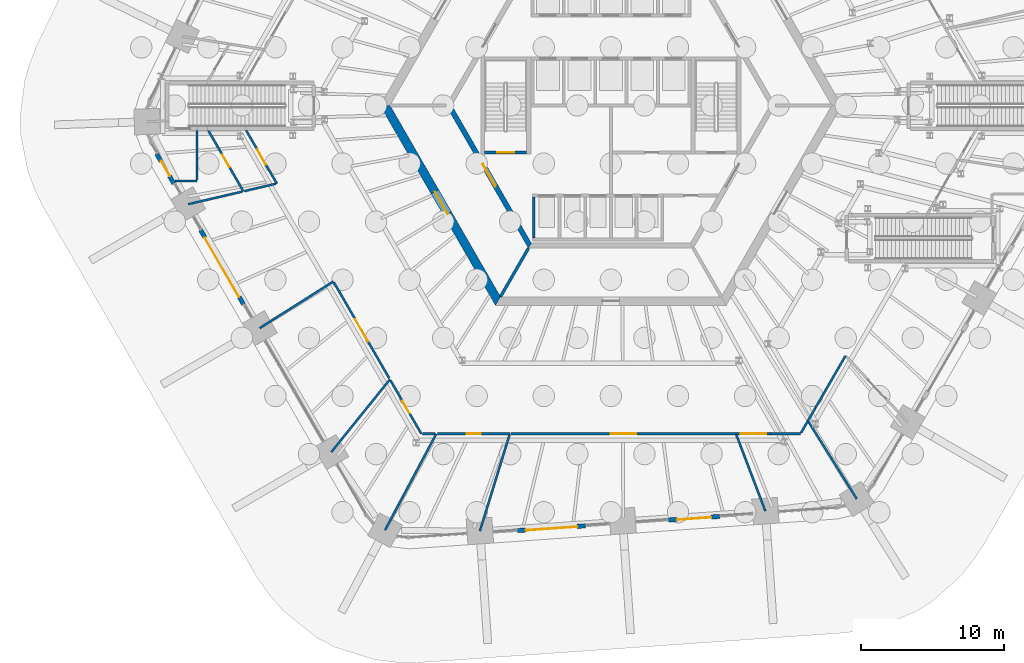
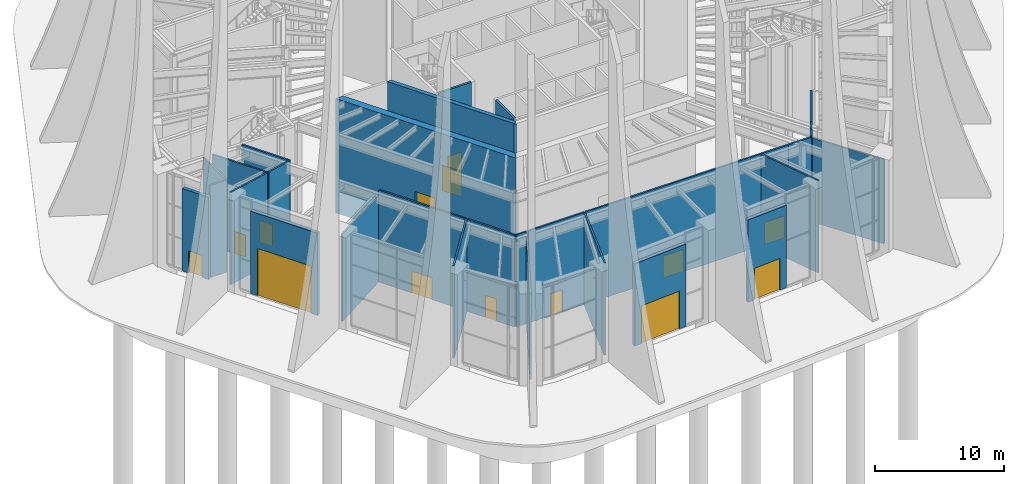
# One storey, part 25 of 43: 31 walls, 14 doors, 14 openings.
"""IFC4 building model written with IfcOpenShell, lengths in metres."""

from ifc_helpers import new_model, si_unit, direction, frame, frame_2d, origin, place, context, subcontext, project, spatial, polyline, rectangle, outline, extrude, material, layer, layer_set, type_object, element, fill, save


model = new_model("IFC4")

# Units and contexts
model_context = context("Model", 3, precision=1e-05, world=origin(), true_north=direction((0.0, 1.0)))
body_context = subcontext(model_context, "Body", "Model", "MODEL_VIEW")
ifc_project = project(units=[si_unit("LENGTHUNIT", "METRE"), si_unit("AREAUNIT", "SQUARE_METRE"), si_unit("VOLUMEUNIT", "CUBIC_METRE"), si_unit("PLANEANGLEUNIT", "RADIAN"), si_unit("MASSUNIT", "GRAM", prefix="KILO")], contexts=[model_context])

# Site, building, storey
site_placement = place(None, origin())
site = spatial("IfcSite", under=ifc_project, at=site_placement, CompositionType="ELEMENT")
building_placement = place(site_placement, origin())
building = spatial("IfcBuilding", under=site, at=building_placement, Name="Tarnside Tower", CompositionType="ELEMENT")
storey_placement = place(building_placement, origin())
storey = spatial("IfcBuildingStorey", under=building, at=storey_placement, Name="L00", CompositionType="ELEMENT", Elevation=0.0)

# Wall, opening, door
ifc_material_1 = material(Name="Concrete C50/60", Category="concrete")
ifc_layer_1 = layer(ifc_material_1, 0.35009765625)
ifc_layer_set_1 = layer_set([ifc_layer_1], Name="Core block wall 350 C50/60")
wall_type_1 = type_object("IfcWallType", Name="Core block wall 350 C50/60", PredefinedType="SHEAR", material=ifc_layer_set_1)
wall_1_placement = place(storey_placement, frame((-11.344970703125, 0.0, -2.10009765625), z_axis=(0.0, 0.0, 1.0), x_axis=(0.499995046907, -0.866028263435, 0.0)))
wall_1 = element("IfcWall", 1, at=wall_1_placement, inside=storey, type_object=wall_type_1, Name="L00 core block wall face 3", PredefinedType="SHEAR", context=body_context, shape_type="SweptSolid", body=[
    extrude(outline(polyline([(-0.10107421875, -0.175048828125), (11.44580078125, -0.175048828125), (11.24365234375, 0.175048828125), (0.10107421875, 0.175048828125), (-0.10107421875, -0.175048828125)])), origin(), (0.0, 0.0, 1.0), 10.85009765625),
])
opening_1_placement = place(wall_1_placement, frame((4.74365234375, 0.0, 2.10009765625)))
opening_1 = element("IfcOpeningElement", 2, at=opening_1_placement, cuts=wall_1, Name="Opening CD-FFL", PredefinedType="OPENING", context=body_context, shape_type="SweptSolid", body=[
    extrude(rectangle(XDim=1.800048828125, YDim=2.39990234375, at=frame_2d((0.89990234375, 1.199951171875))), frame((0.0, 0.18505859375, 0.0), z_axis=(0.0, -1.0, 0.0), x_axis=(1.0, 0.0, 0.0)), (0.0, 0.0, 1.0), 0.3701171875),
])
ifc_material_2 = material(Name="Steel fire door", Category="steel")
door_type_1 = type_object("IfcDoorType", Name="Firefighting lobby double door FD60S 1800x2400", OperationType="NOTDEFINED", PredefinedType="DOOR", material=ifc_material_2)
door_1_placement = place(opening_1_placement, origin())
door_1 = element("IfcDoor", 3, at=door_1_placement, inside=storey, type_object=door_type_1, Name="L00 lobby block door P3", OperationType="DOUBLE_DOOR_SINGLE_SWING", OverallHeight=2.39990234375, OverallWidth=1.800048828125, PredefinedType="DOOR", context=body_context, shape_type="SweptSolid", body=[
    extrude(rectangle(XDim=1.800048828125, YDim=2.39990234375, at=frame_2d((0.89990234375, 1.199951171875))), frame((0.0, 0.02490234375, 0.0), z_axis=(0.0, -1.0, 0.0), x_axis=(1.0, 0.0, 0.0)), (0.0, 0.0, 1.0), 0.050048828125),
])
fill(opening_1, door_1)

ifc_material_3 = material(Name="Concrete C80/95", Category="concrete")
ifc_layer_2 = layer(ifc_material_3, 0.60009765625)
ifc_layer_set_2 = layer_set([ifc_layer_2], Name="Core wall Z1 600 C80/95")
wall_type_2 = type_object("IfcWallType", Name="Core wall Z1 600 C80/95", PredefinedType="SHEAR", material=ifc_layer_set_2)
wall_2_placement = place(storey_placement, frame((-15.8193359375, 0.0, -2.10009765625), z_axis=(0.0, 0.0, 1.0), x_axis=(0.499999880136, -0.866025472988, 0.0)))
wall_2 = element("IfcWall", 4, at=wall_2_placement, inside=storey, type_object=wall_type_2, Name="L00 core wall face 3", PredefinedType="SHEAR", context=body_context, shape_type="SweptSolid", body=[
    extrude(outline(polyline([(-0.17333984375, -0.300048828125), (15.99267578125, -0.300048828125), (15.64599609375, 0.300048828125), (0.17333984375, 0.300048828125), (-0.17333984375, -0.300048828125)])), origin(), (0.0, 0.0, 1.0), 10.85009765625),
])
opening_2_placement = place(wall_2_placement, frame((6.980712890625, 0.0, 2.10009765625)))
opening_2 = element("IfcOpeningElement", 5, at=opening_2_placement, cuts=wall_2, Name="Opening CD-FFL", PredefinedType="OPENING", context=body_context, shape_type="SweptSolid", body=[
    extrude(rectangle(XDim=1.800048828125, YDim=2.39990234375, at=frame_2d((0.89990234375, 1.199951171875))), frame((0.0, 0.31005859375, 0.0), z_axis=(0.0, -1.0, 0.0), x_axis=(1.0, 0.0, 0.0)), (0.0, 0.0, 1.0), 0.6201171875),
])
door_2_placement = place(opening_2_placement, origin())
door_2 = element("IfcDoor", 6, at=door_2_placement, inside=storey, type_object=door_type_1, Name="L00 core door P3", OperationType="DOUBLE_DOOR_SINGLE_SWING", OverallHeight=2.39990234375, OverallWidth=1.800048828125, PredefinedType="DOOR", context=body_context, shape_type="SweptSolid", body=[
    extrude(rectangle(XDim=1.800048828125, YDim=2.39990234375, at=frame_2d((0.89990234375, 1.199951171875))), frame((0.0, 0.02490234375, 0.0), z_axis=(0.0, -1.0, 0.0), x_axis=(1.0, 0.0, 0.0)), (0.0, 0.0, 1.0), 0.050048828125),
])
fill(opening_2, door_2)

ifc_material_4 = material(Name="Concrete C50/60 white precast", Category="concrete")
ifc_layer_3 = layer(ifc_material_4, 0.300048828125)
ifc_layer_set_3 = layer_set([ifc_layer_3], Name="Entrance portal wall 300")
wall_type_3 = type_object("IfcWallType", Name="Entrance portal wall 300", PredefinedType="SOLIDWALL", material=ifc_layer_set_3)
wall_3_placement = place(storey_placement, frame((-30.615478515625, -5.472412109375, 0.0), z_axis=(0.0, 0.0, 1.0), x_axis=(-0.500001309137, 0.866024647952, 0.0)))
wall_3 = element("IfcWall", 7, at=wall_3_placement, inside=storey, type_object=wall_type_3, Name="Exit portal wall PS2", PredefinedType="SOLIDWALL", context=body_context, shape_type="SweptSolid", body=[
    extrude(rectangle(XDim=2.39990234375, YDim=0.300048828125, at=frame_2d((1.199951171875, 0.0))), origin(), (0.0, 0.0, 1.0), 7.823486328125),
])
opening_3_placement = place(wall_3_placement, frame((0.60009765625, 0.0, 0.0)))
opening_3 = element("IfcOpeningElement", 8, at=opening_3_placement, cuts=wall_3, Name="Opening DX1200", PredefinedType="OPENING", context=body_context, shape_type="SweptSolid", body=[
    extrude(rectangle(XDim=1.199951171875, YDim=2.10009765625, at=frame_2d((0.60009765625, 1.050048828125))), frame((0.0, 0.16015625, 0.0), z_axis=(0.0, -1.0, 0.0), x_axis=(1.0, 0.0, 0.0)), (0.0, 0.0, 1.0), 0.320068359375),
])
ifc_material_5 = material(Name="Aluminium-framed toughened glass", Category="aluminium")
door_type_2 = type_object("IfcDoorType", Name="Final exit door 1200 x 2100", OperationType="NOTDEFINED", PredefinedType="DOOR", material=ifc_material_5)
door_3_placement = place(opening_3_placement, frame((0.0, -0.02490234375, 0.0)))
door_3 = element("IfcDoor", 9, at=door_3_placement, inside=storey, type_object=door_type_2, Name="Final exit door PS2", OperationType="SINGLE_SWING_LEFT", OverallHeight=2.10009765625, OverallWidth=1.199951171875, PredefinedType="DOOR", context=body_context, shape_type="SweptSolid", body=[
    extrude(rectangle(XDim=1.199951171875, YDim=2.10009765625, at=frame_2d((0.60009765625, 1.050048828125))), frame((0.0, 0.02490234375, 0.0), z_axis=(0.0, -1.0, 0.0), x_axis=(1.0, 0.0, 0.0)), (0.0, 0.0, 1.0), 0.050048828125),
])
fill(opening_3, door_3)

wall_4_placement = place(storey_placement, frame((-28.731689453125, -8.7353515625, 0.0), z_axis=(0.0, 0.0, 1.0), x_axis=(0.499990139034, -0.866031096941, 0.0)))
wall_4 = element("IfcWall", 10, at=wall_4_placement, inside=storey, type_object=wall_type_3, Name="Entrance portal wall station 08", PredefinedType="SOLIDWALL", context=body_context, shape_type="SweptSolid", body=[
    extrude(rectangle(XDim=6.0, YDim=0.300048828125, at=frame_2d((3.0, 0.0))), origin(), (0.0, 0.0, 1.0), 7.823486328125),
])
opening_4_placement = place(wall_4_placement, frame((0.60009765625, 0.0, 0.0)))
opening_4 = element("IfcOpeningElement", 11, at=opening_4_placement, cuts=wall_4, Name="Opening DE4800", PredefinedType="OPENING", context=body_context, shape_type="SweptSolid", body=[
    extrude(rectangle(XDim=4.800048828125, YDim=4.5, at=frame_2d((2.39990234375, 2.25))), frame((0.0, 0.16015625, 0.0), z_axis=(0.0, -1.0, 0.0), x_axis=(1.0, 0.0, 0.0)), (0.0, 0.0, 1.0), 0.320068359375),
])
door_type_3 = type_object("IfcDoorType", Name="Station entrance door 4800 x 4500", OperationType="DOUBLE_DOOR_SLIDING", PredefinedType="DOOR", material=ifc_material_5)
door_4_placement = place(opening_4_placement, frame((0.0, -0.02490234375, 0.0)))
door_4 = element("IfcDoor", 12, at=door_4_placement, inside=storey, type_object=door_type_3, Name="Station entrance door 04", OperationType="DOUBLE_DOOR_SLIDING", OverallHeight=4.5, OverallWidth=4.800048828125, PredefinedType="DOOR", context=body_context, shape_type="SweptSolid", body=[
    extrude(rectangle(XDim=4.800048828125, YDim=4.5, at=frame_2d((2.39990234375, 2.25))), frame((0.0, 0.02490234375, 0.0), z_axis=(0.0, -1.0, 0.0), x_axis=(1.0, 0.0, 0.0)), (0.0, 0.0, 1.0), 0.050048828125),
])
fill(opening_4, door_4)

wall_5_placement = place(storey_placement, frame((-6.5615234375, -29.7802734375, 0.0), z_axis=(0.0, 0.0, 1.0), x_axis=(0.997562190208, 0.069783068626, 0.0)))
wall_5 = element("IfcWall", 13, at=wall_5_placement, inside=storey, type_object=wall_type_3, Name="Entrance portal wall hotel 12", PredefinedType="SOLIDWALL", context=body_context, shape_type="SweptSolid", body=[
    extrude(rectangle(XDim=4.800048828125, YDim=0.300048828125, at=frame_2d((2.39990234375, 0.0))), origin(), (0.0, 0.0, 1.0), 7.823486328125),
])
opening_5_placement = place(wall_5_placement, frame((0.60009765625, 0.0, 0.0)))
opening_5 = element("IfcOpeningElement", 14, at=opening_5_placement, cuts=wall_5, Name="Opening DE3600H", PredefinedType="OPENING", context=body_context, shape_type="SweptSolid", body=[
    extrude(rectangle(XDim=3.60009765625, YDim=3.60009765625, at=frame_2d((1.800048828125, 1.800048828125))), frame((0.0, 0.16015625, 0.0), z_axis=(0.0, -1.0, 0.0), x_axis=(1.0, 0.0, 0.0)), (0.0, 0.0, 1.0), 0.320068359375),
])
door_type_4 = type_object("IfcDoorType", Name="Hotel entrance door 3600 x 3600", OperationType="DOUBLE_DOOR_SLIDING", PredefinedType="DOOR", material=ifc_material_5)
door_5_placement = place(opening_5_placement, frame((0.0, -0.02490234375, 0.0)))
door_5 = element("IfcDoor", 15, at=door_5_placement, inside=storey, type_object=door_type_4, Name="Hotel entrance door 05", OperationType="DOUBLE_DOOR_SLIDING", OverallHeight=3.60009765625, OverallWidth=3.60009765625, PredefinedType="DOOR", context=body_context, shape_type="SweptSolid", body=[
    extrude(rectangle(XDim=3.60009765625, YDim=3.60009765625, at=frame_2d((1.800048828125, 1.800048828125))), frame((0.0, 0.02490234375, 0.0), z_axis=(0.0, -1.0, 0.0), x_axis=(1.0, 0.0, 0.0)), (0.0, 0.0, 1.0), 0.050048828125),
])
fill(opening_5, door_5)

wall_6_placement = place(storey_placement, frame((4.036376953125, -29.0390625, 0.0), z_axis=(0.0, 0.0, 1.0), x_axis=(0.997566661623, 0.069719119461, 0.0)))
wall_6 = element("IfcWall", 16, at=wall_6_placement, inside=storey, type_object=wall_type_3, Name="Entrance portal wall retail 13", PredefinedType="SOLIDWALL", context=body_context, shape_type="SweptSolid", body=[
    extrude(rectangle(XDim=3.599853515625, YDim=0.300048828125, at=frame_2d((1.7998046875, 0.0))), origin(), (0.0, 0.0, 1.0), 7.823486328125),
])
opening_6_placement = place(wall_6_placement, frame((0.60009765625, 0.0, 0.0)))
opening_6 = element("IfcOpeningElement", 17, at=opening_6_placement, cuts=wall_6, Name="Opening DE2400", PredefinedType="OPENING", context=body_context, shape_type="SweptSolid", body=[
    extrude(rectangle(XDim=2.39990234375, YDim=3.0, at=frame_2d((1.199951171875, 1.5))), frame((0.0, 0.16015625, 0.0), z_axis=(0.0, -1.0, 0.0), x_axis=(1.0, 0.0, 0.0)), (0.0, 0.0, 1.0), 0.320068359375),
])
door_type_5 = type_object("IfcDoorType", Name="Retail entrance door 2400 x 3000", OperationType="DOUBLE_DOOR_SLIDING", PredefinedType="DOOR", material=ifc_material_5)
door_6_placement = place(opening_6_placement, frame((0.0, -0.02490234375, 0.0)))
door_6 = element("IfcDoor", 18, at=door_6_placement, inside=storey, type_object=door_type_5, Name="Retail entrance door 06", OperationType="DOUBLE_DOOR_SLIDING", OverallHeight=3.0, OverallWidth=2.39990234375, PredefinedType="DOOR", context=body_context, shape_type="SweptSolid", body=[
    extrude(rectangle(XDim=2.39990234375, YDim=3.0, at=frame_2d((1.199951171875, 1.5))), frame((0.0, 0.02490234375, 0.0), z_axis=(0.0, -1.0, 0.0), x_axis=(1.0, 0.0, 0.0)), (0.0, 0.0, 1.0), 0.050048828125),
])
fill(opening_6, door_6)

# Walls
ifc_material_6 = material(Name="Concrete C40/50", Category="concrete")
ifc_layer_4 = layer(ifc_material_6, 0.199951171875)
ifc_layer_set_4 = layer_set([ifc_layer_4], Name="Lift shaft wall 200 C40/50")
wall_type_4 = type_object("IfcWallType", Name="Lift shaft wall 200 C40/50", PredefinedType="SHEAR", material=ifc_layer_set_4)
wall_7_placement = place(storey_placement, frame((-5.39990234375, -9.300048828125, -2.10009765625), z_axis=(0.0, 0.0, 1.0), x_axis=(0.0, 1.0, 0.0)))
element("IfcWall", 19, at=wall_7_placement, inside=storey, type_object=wall_type_4, Name="L00 lift shaft partition R41", PredefinedType="SHEAR", context=body_context, shape_type="SweptSolid", body=[
    extrude(rectangle(XDim=2.900146484375, YDim=0.199951171875, at=frame_2d((1.4501953125, 0.0))), origin(), (0.0, 0.0, 1.0), 10.85009765625),
])
wall_8_placement = place(storey_placement, frame((-5.7734375, -10.0, -2.10009765625), z_axis=(0.0, 0.0, 1.0), x_axis=(-0.500038251005, -0.86600331843, 0.0)))
element("IfcWall", 20, at=wall_8_placement, inside=storey, type_object=wall_type_4, Name="L00 core partition AR240", PredefinedType="SHEAR", context=body_context, shape_type="SweptSolid", body=[
    extrude(rectangle(XDim=3.926025390625, YDim=0.199951171875, at=frame_2d((1.962890625, 0.0))), origin(), (0.0, 0.0, 1.0), 10.85009765625),
])

# Wall, opening, door
wall_9_placement = place(storey_placement, frame((-8.85009765625, -3.300048828125, -2.10009765625), z_axis=(0.0, 0.0, 1.0), x_axis=(1.0, 0.0, 0.0)))
wall_9 = element("IfcWall", 21, at=wall_9_placement, inside=storey, type_object=wall_type_4, Name="L00 stair 2 enclosure cap wall s", PredefinedType="SHEAR", context=body_context, shape_type="SweptSolid", body=[
    extrude(rectangle(XDim=2.9501953125, YDim=0.199951171875, at=frame_2d((1.47509765625, 0.0))), origin(), (0.0, 0.0, 1.0), 10.85009765625),
])
opening_7_placement = place(wall_9_placement, frame((0.875, 0.0, 2.10009765625)))
opening_7 = element("IfcOpeningElement", 22, at=opening_7_placement, cuts=wall_9, Name="Opening CD-STR", PredefinedType="OPENING", context=body_context, shape_type="SweptSolid", body=[
    extrude(rectangle(XDim=1.199951171875, YDim=2.39990234375, at=frame_2d((0.60009765625, 1.199951171875))), frame((0.0, 0.10986328125, 0.0), z_axis=(0.0, -1.0, 0.0), x_axis=(1.0, 0.0, 0.0)), (0.0, 0.0, 1.0), 0.219970703125),
])
door_type_6 = type_object("IfcDoorType", Name="Stair door FD60S 1200x2400", OperationType="NOTDEFINED", PredefinedType="DOOR", material=ifc_material_2)
door_7_placement = place(opening_7_placement, origin())
door_7 = element("IfcDoor", 23, at=door_7_placement, inside=storey, type_object=door_type_6, Name="L00 stair 2 door", OperationType="SINGLE_SWING_LEFT", OverallHeight=2.39990234375, OverallWidth=1.199951171875, PredefinedType="DOOR", context=body_context, shape_type="SweptSolid", body=[
    extrude(rectangle(XDim=1.199951171875, YDim=2.39990234375, at=frame_2d((0.60009765625, 1.199951171875))), frame((0.0, 0.02490234375, 0.0), z_axis=(0.0, -1.0, 0.0), x_axis=(1.0, 0.0, 0.0)), (0.0, 0.0, 1.0), 0.050048828125),
])
fill(opening_7, door_7)

# Walls
ifc_material_7 = material(Name="Gypsum board")
ifc_layer_5 = layer(ifc_material_7, 0.14990234375)
ifc_layer_set_5 = layer_set([ifc_layer_5], Name="Partition 150 gypsum board on metal stud")
wall_type_5 = type_object("IfcWallType", Name="Partition 150 gypsum board on metal stud", PredefinedType="PARTITIONING", material=ifc_layer_set_5)
wall_10_placement = place(storey_placement, frame((-29.0, -5.300048828125, 0.0), z_axis=(0.0, 0.0, 1.0), x_axis=(-1.0, 0.0, 0.0)))
element("IfcWall", 24, at=wall_10_placement, inside=storey, type_object=wall_type_5, Name="Partition 006", PredefinedType="PARTITIONING", context=body_context, shape_type="SweptSolid", body=[
    extrude(rectangle(XDim=1.5419921875, YDim=0.14990234375, at=frame_2d((0.77099609375, 0.0))), origin(), (0.0, 0.0, 1.0), 8.75),
])
wall_11_placement = place(storey_placement, frame((-29.0, -1.75, 0.0), z_axis=(0.0, 0.0, 1.0), x_axis=(0.0, -1.0, 0.0)))
element("IfcWall", 25, at=wall_11_placement, inside=storey, type_object=wall_type_5, Name="Partition 007", PredefinedType="PARTITIONING", context=body_context, shape_type="SweptSolid", body=[
    extrude(rectangle(XDim=3.47509765625, YDim=0.14990234375, at=frame_2d((1.737548828125, 0.0))), origin(), (0.0, 0.0, 1.0), 8.75),
])

# Wall, opening, door
wall_12_placement = place(storey_placement, frame((-25.740966796875, -6.014892578125, 0.0), z_axis=(0.0, 0.0, 1.0), x_axis=(-0.500084325422, 0.865976713005, 0.0)))
wall_12 = element("IfcWall", 26, at=wall_12_placement, inside=storey, type_object=wall_type_5, Name="Partition 009", PredefinedType="PARTITIONING", context=body_context, shape_type="SweptSolid", body=[
    extrude(rectangle(XDim=4.925048828125, YDim=0.14990234375, at=frame_2d((2.46240234375, 0.0))), origin(), (0.0, 0.0, 1.0), 8.75),
])
opening_8_placement = place(wall_12_placement, frame((1.96240234375, 0.0, 0.0)))
opening_8 = element("IfcOpeningElement", 27, at=opening_8_placement, cuts=wall_12, Name="Opening D1000", PredefinedType="OPENING", context=body_context, shape_type="SweptSolid", body=[
    extrude(rectangle(XDim=1.0, YDim=2.10009765625, at=frame_2d((0.5, 1.050048828125))), frame((0.0, 0.0849609375, 0.0), z_axis=(0.0, -1.0, 0.0), x_axis=(1.0, 0.0, 0.0)), (0.0, 0.0, 1.0), 0.169921875),
])
ifc_material_8 = material(Name="Timber door leaf", Category="wood")
door_type_7 = type_object("IfcDoorType", Name="Door 1000 x 2100 single leaf", OperationType="NOTDEFINED", PredefinedType="DOOR", material=ifc_material_8)
door_8_placement = place(opening_8_placement, origin())
door_8 = element("IfcDoor", 28, at=door_8_placement, inside=storey, type_object=door_type_7, Name="Door L00-02", OperationType="SINGLE_SWING_LEFT", OverallHeight=2.10009765625, OverallWidth=1.0, PredefinedType="DOOR", context=body_context, shape_type="SweptSolid", body=[
    extrude(rectangle(XDim=1.0, YDim=2.10009765625, at=frame_2d((0.5, 1.050048828125))), frame((0.0, 0.02490234375, 0.0), z_axis=(0.0, -1.0, 0.0), x_axis=(1.0, 0.0, 0.0)), (0.0, 0.0, 1.0), 0.050048828125),
])
fill(opening_8, door_8)

# Wall
wall_13_placement = place(storey_placement, frame((-25.8173828125, -6.03271484375, 0.0), z_axis=(0.0, 0.0, 1.0), x_axis=(-0.973795851952, -0.227423918535, 0.0)))
element("IfcWall", 29, at=wall_13_placement, inside=storey, type_object=wall_type_5, Name="Partition 013", PredefinedType="PARTITIONING", context=body_context, shape_type="SweptSolid", body=[
    extrude(rectangle(XDim=3.892578125, YDim=0.14990234375, at=frame_2d((1.9462890625, 0.0))), origin(), (0.0, 0.0, 1.0), 8.75),
])

# Wall, opening, door
wall_14_placement = place(storey_placement, frame((-25.5478515625, -1.75, 0.0), z_axis=(0.0, 0.0, 1.0), x_axis=(0.500065367758, -0.865987660403, 0.0)))
wall_14 = element("IfcWall", 30, at=wall_14_placement, inside=storey, type_object=wall_type_5, Name="Partition 015", PredefinedType="PARTITIONING", context=body_context, shape_type="SweptSolid", body=[
    extrude(rectangle(XDim=4.29345703125, YDim=0.14990234375, at=frame_2d((2.146728515625, 0.0))), origin(), (0.0, 0.0, 1.0), 8.75),
])
opening_9_placement = place(wall_14_placement, frame((1.546630859375, 0.0, 0.0)))
opening_9 = element("IfcOpeningElement", 31, at=opening_9_placement, cuts=wall_14, Name="Opening D1200", PredefinedType="OPENING", context=body_context, shape_type="SweptSolid", body=[
    extrude(rectangle(XDim=1.199951171875, YDim=2.10009765625, at=frame_2d((0.60009765625, 1.050048828125))), frame((0.0, 0.0849609375, 0.0), z_axis=(0.0, -1.0, 0.0), x_axis=(1.0, 0.0, 0.0)), (0.0, 0.0, 1.0), 0.169921875),
])
door_type_8 = type_object("IfcDoorType", Name="Door 1200 x 2100 single leaf", OperationType="NOTDEFINED", PredefinedType="DOOR", material=ifc_material_8)
door_9_placement = place(opening_9_placement, origin())
door_9 = element("IfcDoor", 32, at=door_9_placement, inside=storey, type_object=door_type_8, Name="Door L00-04", OperationType="SINGLE_SWING_LEFT", OverallHeight=2.10009765625, OverallWidth=1.199951171875, PredefinedType="DOOR", context=body_context, shape_type="SweptSolid", body=[
    extrude(rectangle(XDim=1.199951171875, YDim=2.10009765625, at=frame_2d((0.60009765625, 1.050048828125))), frame((0.0, 0.02490234375, 0.0), z_axis=(0.0, -1.0, 0.0), x_axis=(1.0, 0.0, 0.0)), (0.0, 0.0, 1.0), 0.050048828125),
])
fill(opening_9, door_9)

# Walls
wall_15_placement = place(storey_placement, frame((-24.595947265625, -15.59912109375, 0.0), z_axis=(0.0, 0.0, 1.0), x_axis=(0.844482111796, 0.535583758956, 0.0)))
element("IfcWall", 33, at=wall_15_placement, inside=storey, type_object=wall_type_5, Name="Partition 017", PredefinedType="PARTITIONING", context=body_context, shape_type="SweptSolid", body=[
    extrude(rectangle(XDim=6.10546875, YDim=0.14990234375, at=frame_2d((3.052734375, 0.0))), origin(), (0.0, 0.0, 1.0), 8.296630859375),
])
wall_16_placement = place(storey_placement, frame((-23.477294921875, -5.48583984375, 0.0), z_axis=(0.0, 0.0, 1.0), x_axis=(-0.97376098573, -0.227573158942, 0.0)))
element("IfcWall", 34, at=wall_16_placement, inside=storey, type_object=wall_type_5, Name="Partition 022", PredefinedType="PARTITIONING", context=body_context, shape_type="SweptSolid", body=[
    extrude(rectangle(XDim=2.246337890625, YDim=0.14990234375, at=frame_2d((1.123046875, 0.0))), origin(), (0.0, 0.0, 1.0), 8.75),
])
wall_17_placement = place(storey_placement, frame((-19.583984375, -24.280029296875, 0.0), z_axis=(0.0, 0.0, 1.0), x_axis=(0.627759019013, 0.778407742798, 0.0)))
element("IfcWall", 35, at=wall_17_placement, inside=storey, type_object=wall_type_5, Name="Partition 035", PredefinedType="PARTITIONING", context=body_context, shape_type="SweptSolid", body=[
    extrude(rectangle(XDim=6.5390625, YDim=0.14990234375, at=frame_2d((3.26953125, 0.0))), origin(), (0.0, 0.0, 1.0), 8.75),
])

# Wall, opening, door
wall_18_placement = place(storey_placement, frame((-15.519287109375, -19.120361328125, 0.0), z_axis=(0.0, 0.0, 1.0), x_axis=(-0.49998639067, 0.866033260992, 0.0)))
wall_18 = element("IfcWall", 36, at=wall_18_placement, inside=storey, type_object=wall_type_5, Name="Partition 036", PredefinedType="PARTITIONING", context=body_context, shape_type="SweptSolid", body=[
    extrude(rectangle(XDim=7.766845703125, YDim=0.14990234375, at=frame_2d((3.88330078125, 0.0))), origin(), (0.0, 0.0, 1.0), 8.75),
])
opening_10_placement = place(wall_18_placement, frame((2.9833984375, 0.0, 0.0)))
opening_10 = element("IfcOpeningElement", 37, at=opening_10_placement, cuts=wall_18, Name="Opening D1800F30", PredefinedType="OPENING", context=body_context, shape_type="SweptSolid", body=[
    extrude(rectangle(XDim=1.800048828125, YDim=2.10009765625, at=frame_2d((0.89990234375, 1.050048828125))), frame((0.0, 0.0849609375, 0.0), z_axis=(0.0, -1.0, 0.0), x_axis=(1.0, 0.0, 0.0)), (0.0, 0.0, 1.0), 0.169921875),
])
door_type_9 = type_object("IfcDoorType", Name="Door pair 1800 x 2100 FD30S fire door", OperationType="NOTDEFINED", PredefinedType="DOOR", material=ifc_material_8)
door_10_placement = place(opening_10_placement, origin())
door_10 = element("IfcDoor", 38, at=door_10_placement, inside=storey, type_object=door_type_9, Name="Door L00-09", OperationType="DOUBLE_DOOR_SINGLE_SWING", OverallHeight=2.10009765625, OverallWidth=1.800048828125, PredefinedType="DOOR", context=body_context, shape_type="SweptSolid", body=[
    extrude(rectangle(XDim=1.800048828125, YDim=2.10009765625, at=frame_2d((0.89990234375, 1.050048828125))), frame((0.0, 0.02490234375, 0.0), z_axis=(0.0, -1.0, 0.0), x_axis=(1.0, 0.0, 0.0)), (0.0, 0.0, 1.0), 0.050048828125),
])
fill(opening_10, door_10)

# Wall
wall_19_placement = place(storey_placement, frame((-15.823974609375, -29.760009765625, 0.0), z_axis=(0.0, 0.0, 1.0), x_axis=(0.469533647799, 0.882914578872, 0.0)))
element("IfcWall", 39, at=wall_19_placement, inside=storey, type_object=wall_type_5, Name="Partition 040", PredefinedType="PARTITIONING", context=body_context, shape_type="SweptSolid", body=[
    extrude(rectangle(XDim=7.656494140625, YDim=0.14990234375, at=frame_2d((3.828125, 0.0))), origin(), (0.0, 0.0, 1.0), 8.216796875),
])

# Wall, opening, door
wall_20_placement = place(storey_placement, frame((-13.279052734375, -23.0, 0.0), z_axis=(0.0, 0.0, 1.0), x_axis=(-0.500017657896, 0.866015208753, 0.0)))
wall_20 = element("IfcWall", 40, at=wall_20_placement, inside=storey, type_object=wall_type_5, Name="Partition 041", PredefinedType="PARTITIONING", context=body_context, shape_type="SweptSolid", body=[
    extrude(rectangle(XDim=4.319091796875, YDim=0.14990234375, at=frame_2d((2.15966796875, 0.0))), origin(), (0.0, 0.0, 1.0), 8.75),
])
opening_11_placement = place(wall_20_placement, frame((1.65966796875, 0.0, 0.0)))
opening_11 = element("IfcOpeningElement", 41, at=opening_11_placement, cuts=wall_20, Name="Opening D1000F30", PredefinedType="OPENING", context=body_context, shape_type="SweptSolid", body=[
    extrude(rectangle(XDim=1.0, YDim=2.10009765625, at=frame_2d((0.5, 1.050048828125))), frame((0.0, 0.0849609375, 0.0), z_axis=(0.0, -1.0, 0.0), x_axis=(1.0, 0.0, 0.0)), (0.0, 0.0, 1.0), 0.169921875),
])
door_type_10 = type_object("IfcDoorType", Name="Door 1000 x 2100 single leaf FD30S fire door", OperationType="NOTDEFINED", PredefinedType="DOOR", material=ifc_material_8)
door_11_placement = place(opening_11_placement, origin())
door_11 = element("IfcDoor", 42, at=door_11_placement, inside=storey, type_object=door_type_10, Name="Door L00-11", OperationType="SINGLE_SWING_RIGHT", OverallHeight=2.10009765625, OverallWidth=1.0, PredefinedType="DOOR", context=body_context, shape_type="SweptSolid", body=[
    extrude(rectangle(XDim=1.0, YDim=2.10009765625, at=frame_2d((0.5, 1.050048828125))), frame((0.0, 0.02490234375, 0.0), z_axis=(0.0, -1.0, 0.0), x_axis=(1.0, 0.0, 0.0)), (0.0, 0.0, 1.0), 0.050048828125),
])
fill(opening_11, door_11)

# Wall
wall_21_placement = place(storey_placement, frame((-13.1923828125, -23.0, 0.0), z_axis=(0.0, 0.0, 1.0), x_axis=(1.0, 0.0, 0.0)))
element("IfcWall", 43, at=wall_21_placement, inside=storey, type_object=wall_type_5, Name="Partition 049", PredefinedType="PARTITIONING", context=body_context, shape_type="SweptSolid", body=[
    extrude(rectangle(XDim=0.87841796875, YDim=0.14990234375, at=frame_2d((0.439208984375, 0.0))), origin(), (0.0, 0.0, 1.0), 8.75),
])

# Wall, opening, door
wall_22_placement = place(storey_placement, frame((-7.080078125, -23.0, 0.0), z_axis=(0.0, 0.0, 1.0), x_axis=(-1.0, 0.0, 0.0)))
wall_22 = element("IfcWall", 44, at=wall_22_placement, inside=storey, type_object=wall_type_5, Name="Partition 050", PredefinedType="PARTITIONING", context=body_context, shape_type="SweptSolid", body=[
    extrude(rectangle(XDim=5.06396484375, YDim=0.14990234375, at=frame_2d((2.531982421875, 0.0))), origin(), (0.0, 0.0, 1.0), 8.75),
])
opening_12_placement = place(wall_22_placement, frame((2.031982421875, 0.0, 0.0)))
opening_12 = element("IfcOpeningElement", 45, at=opening_12_placement, cuts=wall_22, Name="Opening D1000F30", PredefinedType="OPENING", context=body_context, shape_type="SweptSolid", body=[
    extrude(rectangle(XDim=1.0, YDim=2.10009765625, at=frame_2d((0.5, 1.050048828125))), frame((0.0, 0.0849609375, 0.0), z_axis=(0.0, -1.0, 0.0), x_axis=(1.0, 0.0, 0.0)), (0.0, 0.0, 1.0), 0.169921875),
])
door_12_placement = place(opening_12_placement, origin())
door_12 = element("IfcDoor", 46, at=door_12_placement, inside=storey, type_object=door_type_10, Name="Door L00-15", OperationType="SINGLE_SWING_RIGHT", OverallHeight=2.10009765625, OverallWidth=1.0, PredefinedType="DOOR", context=body_context, shape_type="SweptSolid", body=[
    extrude(rectangle(XDim=1.0, YDim=2.10009765625, at=frame_2d((0.5, 1.050048828125))), frame((0.0, 0.02490234375, 0.0), z_axis=(0.0, -1.0, 0.0), x_axis=(1.0, 0.0, 0.0)), (0.0, 0.0, 1.0), 0.050048828125),
])
fill(opening_12, door_12)

# Wall
wall_23_placement = place(storey_placement, frame((-9.177001953125, -29.81298828125, 0.0), z_axis=(0.0, 0.0, 1.0), x_axis=(0.294180751952, 0.955749802606, 0.0)))
element("IfcWall", 47, at=wall_23_placement, inside=storey, type_object=wall_type_5, Name="Partition 057", PredefinedType="PARTITIONING", context=body_context, shape_type="SweptSolid", body=[
    extrude(rectangle(XDim=7.050048828125, YDim=0.14990234375, at=frame_2d((3.52490234375, 0.0))), origin(), (0.0, 0.0, 1.0), 8.75),
])

# Wall, opening, door
wall_24_placement = place(storey_placement, frame((8.759033203125, -23.0, 0.0), z_axis=(0.0, 0.0, 1.0), x_axis=(-1.0, 0.0, 0.0)))
wall_24 = element("IfcWall", 48, at=wall_24_placement, inside=storey, type_object=wall_type_5, Name="Partition 058", PredefinedType="PARTITIONING", context=body_context, shape_type="SweptSolid", body=[
    extrude(rectangle(XDim=15.760498046875, YDim=0.14990234375, at=frame_2d((7.88037109375, 0.0))), origin(), (0.0, 0.0, 1.0), 8.75),
])
opening_13_placement = place(wall_24_placement, frame((6.980224609375, 0.0, 0.0)))
opening_13 = element("IfcOpeningElement", 49, at=opening_13_placement, cuts=wall_24, Name="Opening D1800F30", PredefinedType="OPENING", context=body_context, shape_type="SweptSolid", body=[
    extrude(rectangle(XDim=1.800048828125, YDim=2.10009765625, at=frame_2d((0.89990234375, 1.050048828125))), frame((0.0, 0.0849609375, 0.0), z_axis=(0.0, -1.0, 0.0), x_axis=(1.0, 0.0, 0.0)), (0.0, 0.0, 1.0), 0.169921875),
])
door_13_placement = place(opening_13_placement, origin())
door_13 = element("IfcDoor", 50, at=door_13_placement, inside=storey, type_object=door_type_9, Name="Door L00-17", OperationType="DOUBLE_DOOR_SINGLE_SWING", OverallHeight=2.10009765625, OverallWidth=1.800048828125, PredefinedType="DOOR", context=body_context, shape_type="SweptSolid", body=[
    extrude(rectangle(XDim=1.800048828125, YDim=2.10009765625, at=frame_2d((0.89990234375, 1.050048828125))), frame((0.0, 0.02490234375, 0.0), z_axis=(0.0, -1.0, 0.0), x_axis=(1.0, 0.0, 0.0)), (0.0, 0.0, 1.0), 0.050048828125),
])
fill(opening_13, door_13)

wall_25_placement = place(storey_placement, frame((11.2109375, -23.0, 0.0), z_axis=(0.0, 0.0, 1.0), x_axis=(-1.0, 0.0, 0.0)))
wall_25 = element("IfcWall", 51, at=wall_25_placement, inside=storey, type_object=wall_type_5, Name="Partition 070", PredefinedType="PARTITIONING", context=body_context, shape_type="SweptSolid", body=[
    extrude(rectangle(XDim=2.451904296875, YDim=0.14990234375, at=frame_2d((1.22607421875, 0.0))), origin(), (0.0, 0.0, 1.0), 8.75),
])
opening_14_placement = place(wall_25_placement, frame((0.325927734375, 0.0, 0.0)))
opening_14 = element("IfcOpeningElement", 52, at=opening_14_placement, cuts=wall_25, Name="Opening D1800F30", PredefinedType="OPENING", context=body_context, shape_type="SweptSolid", body=[
    extrude(rectangle(XDim=1.800048828125, YDim=2.10009765625, at=frame_2d((0.89990234375, 1.050048828125))), frame((0.0, 0.0849609375, 0.0), z_axis=(0.0, -1.0, 0.0), x_axis=(1.0, 0.0, 0.0)), (0.0, 0.0, 1.0), 0.169921875),
])
door_14_placement = place(opening_14_placement, origin())
door_14 = element("IfcDoor", 53, at=door_14_placement, inside=storey, type_object=door_type_9, Name="Door L00-22", OperationType="DOUBLE_DOOR_SINGLE_SWING", OverallHeight=2.10009765625, OverallWidth=1.800048828125, PredefinedType="DOOR", context=body_context, shape_type="SweptSolid", body=[
    extrude(rectangle(XDim=1.800048828125, YDim=2.10009765625, at=frame_2d((0.89990234375, 1.050048828125))), frame((0.0, 0.02490234375, 0.0), z_axis=(0.0, -1.0, 0.0), x_axis=(1.0, 0.0, 0.0)), (0.0, 0.0, 1.0), 0.050048828125),
])
fill(opening_14, door_14)

# Walls
wall_26_placement = place(storey_placement, frame((10.821044921875, -28.4140625, 0.0), z_axis=(0.0, 0.0, 1.0), x_axis=(-0.355918915631, 0.93451684067, 0.0)))
element("IfcWall", 54, at=wall_26_placement, inside=storey, type_object=wall_type_5, Name="Partition 071", PredefinedType="PARTITIONING", context=body_context, shape_type="SweptSolid", body=[
    extrude(rectangle(XDim=5.713134765625, YDim=0.14990234375, at=frame_2d((2.8564453125, 0.0))), origin(), (0.0, 0.0, 1.0), 8.75),
])
wall_27_placement = place(storey_placement, frame((11.18896484375, -23.0, 0.0), z_axis=(0.0, 0.0, 1.0), x_axis=(1.0, 0.0, 0.0)))
element("IfcWall", 55, at=wall_27_placement, inside=storey, type_object=wall_type_5, Name="Partition 072", PredefinedType="PARTITIONING", context=body_context, shape_type="SweptSolid", body=[
    extrude(rectangle(XDim=2.090087890625, YDim=0.14990234375, at=frame_2d((1.044921875, 0.0))), origin(), (0.0, 0.0, 1.0), 8.75),
])
wall_28_placement = place(storey_placement, frame((13.322265625, -22.925048828125, 0.0), z_axis=(0.0, 0.0, 1.0), x_axis=(0.500146667959, 0.865940708438, 0.0)))
element("IfcWall", 56, at=wall_28_placement, inside=storey, type_object=wall_type_5, Name="Partition 075", PredefinedType="PARTITIONING", context=body_context, shape_type="SweptSolid", body=[
    extrude(rectangle(XDim=0.963134765625, YDim=0.14990234375, at=frame_2d((0.4814453125, 0.0))), origin(), (0.0, 0.0, 1.0), 8.75),
])
wall_29_placement = place(storey_placement, frame((13.803955078125, -22.091064453125, 0.0), z_axis=(0.0, 0.0, 1.0), x_axis=(0.499824022834, 0.866126980413, 0.0)))
element("IfcWall", 57, at=wall_29_placement, inside=storey, type_object=wall_type_5, Name="Partition 079", PredefinedType="PARTITIONING", context=body_context, shape_type="SweptSolid", body=[
    extrude(rectangle(XDim=1.040283203125, YDim=0.14990234375, at=frame_2d((0.52001953125, 0.0))), origin(), (0.0, 0.0, 1.0), 8.75),
])
wall_30_placement = place(storey_placement, frame((14.31298828125, -21.208984375, 0.0), z_axis=(0.0, 0.0, 1.0), x_axis=(0.500022752519, 0.866012267213, 0.0)))
element("IfcWall", 58, at=wall_30_placement, inside=storey, type_object=wall_type_5, Name="Partition 080", PredefinedType="PARTITIONING", context=body_context, shape_type="SweptSolid", body=[
    extrude(rectangle(XDim=4.245849609375, YDim=0.14990234375, at=frame_2d((2.123046875, 0.0))), origin(), (0.0, 0.0, 1.0), 8.75),
])
wall_31_placement = place(storey_placement, frame((17.22509765625, -27.56591796875, 0.0), z_axis=(0.0, 0.0, 1.0), x_axis=(-0.529909376743, 0.848054274466, 0.0)))
element("IfcWall", 59, at=wall_31_placement, inside=storey, type_object=wall_type_5, Name="Partition 089", PredefinedType="PARTITIONING", context=body_context, shape_type="SweptSolid", body=[
    extrude(rectangle(XDim=6.370849609375, YDim=0.14990234375, at=frame_2d((3.185546875, 0.0))), origin(), (0.0, 0.0, 1.0), 7.98779296875),
])

save(model, "model.ifc")
